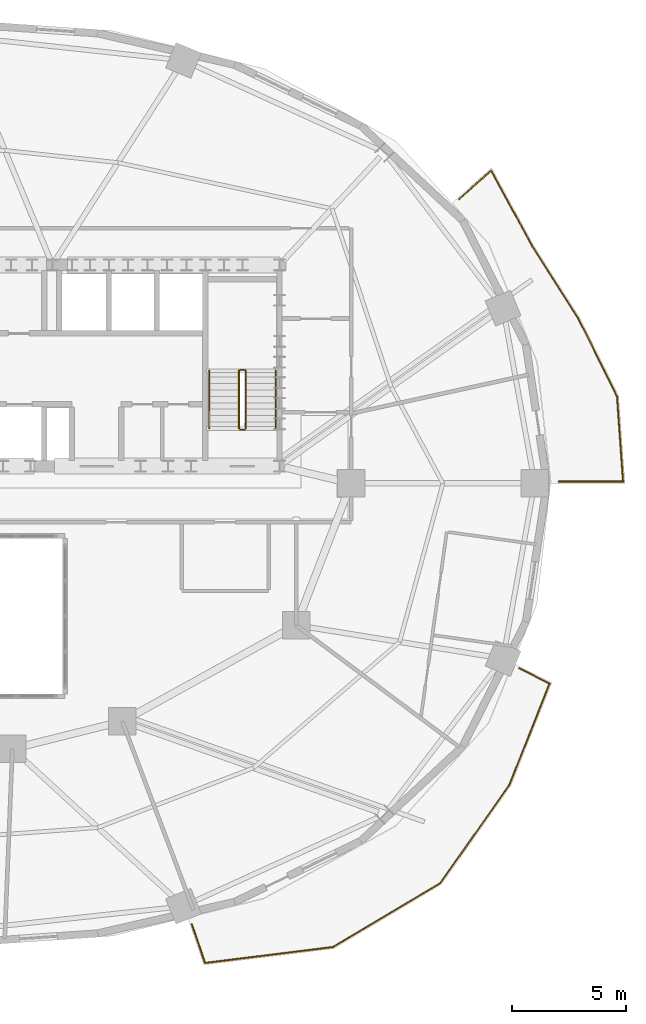
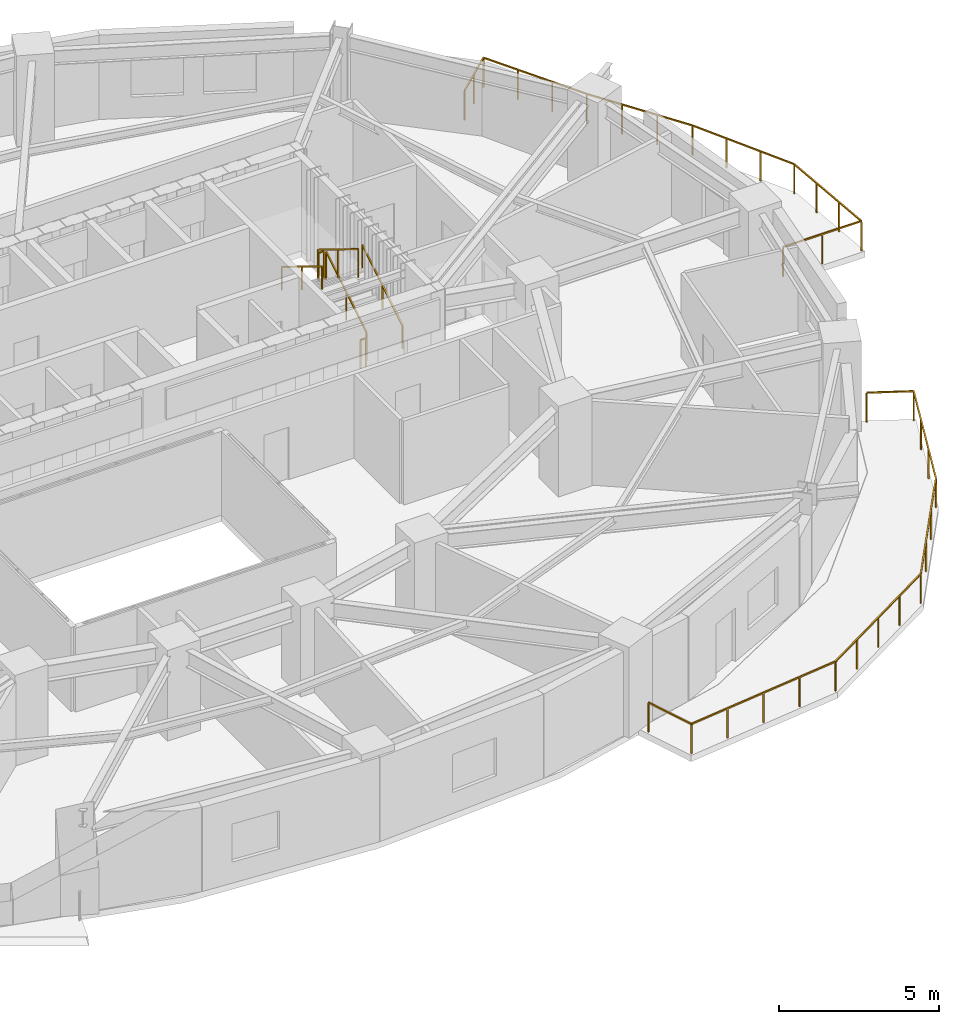
# One storey, part 12 of 12: 8 railings.
"""IFC4 building model written with IfcOpenShell, lengths in metres."""

from ifc_helpers import new_model, si_unit, direction, frame, origin, origin_2d, place, context, subcontext, project, spatial, rectangle, extrude, material, type_object, element, save


model = new_model("IFC4")

# Units and contexts
model_context = context("Model", 3, precision=1e-05, world=origin(), true_north=direction((0.0, 1.0)))
body_context = subcontext(model_context, "Body", "Model", "MODEL_VIEW")
ifc_project = project(units=[si_unit("LENGTHUNIT", "METRE"), si_unit("AREAUNIT", "SQUARE_METRE"), si_unit("VOLUMEUNIT", "CUBIC_METRE"), si_unit("PLANEANGLEUNIT", "RADIAN"), si_unit("MASSUNIT", "GRAM", prefix="KILO")], contexts=[model_context])

# Site, building, storey
site_placement = place(None, origin())
site = spatial("IfcSite", under=ifc_project, at=site_placement, CompositionType="ELEMENT")
building_placement = place(site_placement, origin())
building = spatial("IfcBuilding", under=site, at=building_placement, Name="Haldorwick Loom Tower", CompositionType="ELEMENT")
storey_placement = place(building_placement, frame((0.0, 0.0, 154.449951171875)))
storey = spatial("IfcBuildingStorey", under=building, at=storey_placement, Name="L41", CompositionType="ELEMENT", Elevation=154.449951171875)

# Railings
ifc_material_1 = material(Name="Galvanized Steel CSA G40.21 350W", Category="steel")
railing_type_1 = type_object("IfcRailingType", Name="ARC-RLG-BAL115", PredefinedType="BALUSTRADE", material=ifc_material_1)
railing_1_placement = place(storey_placement, frame((60.55419921875, 17.916748046875, 0.0)))
element("IfcRailing", 1, at=railing_1_placement, inside=storey, type_object=railing_type_1, Name="L41 Outdoor Terrace Guardrail SLB-L41-BAL_SE-1", PredefinedType="BALUSTRADE", context=body_context, shape_type="SweptSolid", body=[
    extrude(rectangle(XDim=0.048095703125, YDim=0.048095703125, at=origin_2d()), frame((0.0, 0.0, 1.1259765625), z_axis=(0.892261986487, -0.451518047778, 0.0), x_axis=(0.451518047778, 0.892261986487, 0.0)), (0.0, 0.0, 1.0), 1.472900390625),
    extrude(rectangle(XDim=0.048095703125, YDim=0.048095703125, at=origin_2d()), frame((1.314208984375, -0.6650390625, 1.1259765625), z_axis=(-0.368892536215, -0.929472052686, 0.0), x_axis=(0.929472052686, -0.368892536215, 0.0)), (0.0, 0.0, 1.0), 4.77099609375),
    extrude(rectangle(XDim=0.048095703125, YDim=0.048095703125, at=origin_2d()), frame((-0.44580078125, -5.099609375, 1.1259765625), z_axis=(-0.575818159114, -0.817577793017, 0.0), x_axis=(0.817577793017, -0.575818159114, 0.0)), (0.0, 0.0, 1.0), 5.23193359375),
    extrude(rectangle(XDim=0.048095703125, YDim=0.048095703125, at=origin_2d()), frame((-3.45849609375, -9.377197265625, 1.1259765625), z_axis=(-0.858668085407, -0.512532066415, 0.0), x_axis=(0.512532066415, -0.858668085407, 0.0)), (0.0, 0.0, 1.0), 5.4521484375),
    extrude(rectangle(XDim=0.048095703125, YDim=0.048095703125, at=origin_2d()), frame((-8.14013671875, -12.171630859375, 1.1259765625), z_axis=(-0.992333036754, -0.123592654179, 0.0), x_axis=(0.123592654179, -0.992333036754, 0.0)), (0.0, 0.0, 1.0), 5.6416015625),
    extrude(rectangle(XDim=0.048095703125, YDim=0.048095703125, at=origin_2d()), frame((-13.738525390625, -12.868896484375, 1.1259765625), z_axis=(-0.320886637071, 0.94711760946, 0.0), x_axis=(-0.94711760946, -0.320886637071, 0.0)), (0.0, 0.0, 1.0), 1.77490234375),
    extrude(rectangle(XDim=0.0419921875, YDim=0.0419921875, at=origin_2d()), origin(), (0.0, 0.0, 1.0), 1.101806640625),
    extrude(rectangle(XDim=0.0419921875, YDim=0.0419921875, at=origin_2d()), frame((1.314208984375, -0.6650390625, 0.0)), (0.0, 0.0, 1.0), 1.101806640625),
    extrude(rectangle(XDim=0.0419921875, YDim=0.0419921875, at=origin_2d()), frame((0.7275390625, -2.143310546875, 0.0)), (0.0, 0.0, 1.0), 1.101806640625),
    extrude(rectangle(XDim=0.0419921875, YDim=0.0419921875, at=origin_2d()), frame((0.140869140625, -3.621337890625, 0.0)), (0.0, 0.0, 1.0), 1.101806640625),
    extrude(rectangle(XDim=0.0419921875, YDim=0.0419921875, at=origin_2d()), frame((-0.44580078125, -5.099609375, 0.0)), (0.0, 0.0, 1.0), 1.101806640625),
    extrude(rectangle(XDim=0.0419921875, YDim=0.0419921875, at=origin_2d()), frame((-1.449951171875, -6.525390625, 0.0)), (0.0, 0.0, 1.0), 1.101806640625),
    extrude(rectangle(XDim=0.0419921875, YDim=0.0419921875, at=origin_2d()), frame((-2.454345703125, -7.951416015625, 0.0)), (0.0, 0.0, 1.0), 1.101806640625),
    extrude(rectangle(XDim=0.0419921875, YDim=0.0419921875, at=origin_2d()), frame((-3.45849609375, -9.377197265625, 0.0)), (0.0, 0.0, 1.0), 1.101806640625),
    extrude(rectangle(XDim=0.0419921875, YDim=0.0419921875, at=origin_2d()), frame((-4.62890625, -10.07568359375, 0.0)), (0.0, 0.0, 1.0), 1.101806640625),
    extrude(rectangle(XDim=0.0419921875, YDim=0.0419921875, at=origin_2d()), frame((-5.79931640625, -10.7744140625, 0.0)), (0.0, 0.0, 1.0), 1.101806640625),
    extrude(rectangle(XDim=0.0419921875, YDim=0.0419921875, at=origin_2d()), frame((-6.9697265625, -11.47314453125, 0.0)), (0.0, 0.0, 1.0), 1.101806640625),
    extrude(rectangle(XDim=0.0419921875, YDim=0.0419921875, at=origin_2d()), frame((-8.14013671875, -12.171630859375, 0.0)), (0.0, 0.0, 1.0), 1.101806640625),
    extrude(rectangle(XDim=0.0419921875, YDim=0.0419921875, at=origin_2d()), frame((-9.539794921875, -12.345947265625, 0.0)), (0.0, 0.0, 1.0), 1.101806640625),
    extrude(rectangle(XDim=0.0419921875, YDim=0.0419921875, at=origin_2d()), frame((-10.939453125, -12.520263671875, 0.0)), (0.0, 0.0, 1.0), 1.101806640625),
    extrude(rectangle(XDim=0.0419921875, YDim=0.0419921875, at=origin_2d()), frame((-12.3388671875, -12.694580078125, 0.0)), (0.0, 0.0, 1.0), 1.101806640625),
    extrude(rectangle(XDim=0.0419921875, YDim=0.0419921875, at=origin_2d()), frame((-13.738525390625, -12.868896484375, 0.0)), (0.0, 0.0, 1.0), 1.101806640625),
    extrude(rectangle(XDim=0.0419921875, YDim=0.0419921875, at=origin_2d()), frame((-14.30810546875, -11.187744140625, 0.0)), (0.0, 0.0, 1.0), 1.101806640625),
])
railing_2_placement = place(storey_placement, frame((57.91357421875, 38.416259765625, 0.0)))
element("IfcRailing", 2, at=railing_2_placement, inside=storey, type_object=railing_type_1, Name="L41 Outdoor Terrace Guardrail SLB-L41-BAL_ENE-1", PredefinedType="BALUSTRADE", context=body_context, shape_type="SweptSolid", body=[
    extrude(rectangle(XDim=0.048095703125, YDim=0.048095703125, at=origin_2d()), frame((0.0, 0.0, 1.1259765625), z_axis=(0.745995297982, 0.665951210967, 0.0), x_axis=(-0.665951210967, 0.745995297982, 0.0)), (0.0, 0.0, 1.0), 1.87890625),
    extrude(rectangle(XDim=0.048095703125, YDim=0.048095703125, at=origin_2d()), frame((1.401611328125, 1.251220703125, 1.1259765625), z_axis=(0.477375598096, -0.878699344681, 0.0), x_axis=(0.878699344681, 0.477375598096, 0.0)), (0.0, 0.0, 1.0), 3.7783203125),
    extrude(rectangle(XDim=0.048095703125, YDim=0.048095703125, at=origin_2d()), frame((3.205322265625, -2.06884765625, 1.1259765625), z_axis=(0.501036270542, -0.865426285481, 0.0), x_axis=(0.865426285481, 0.501036270542, 0.0)), (0.0, 0.0, 1.0), 0.00537109375),
    extrude(rectangle(XDim=0.048095703125, YDim=0.048095703125, at=origin_2d()), frame((3.2080078125, -2.073486328125, 1.1259765625), z_axis=(0.537781060041, -0.843084533995, 0.0), x_axis=(0.843084533995, 0.537781060041, 0.0)), (0.0, 0.0, 1.0), 3.71435546875),
    extrude(rectangle(XDim=0.048095703125, YDim=0.048095703125, at=origin_2d()), frame((5.20556640625, -5.205078125, 1.1259765625), z_axis=(0.445570186233, -0.895247010127, 0.0), x_axis=(0.895247010127, 0.445570186233, 0.0)), (0.0, 0.0, 1.0), 3.804931640625),
    extrude(rectangle(XDim=0.048095703125, YDim=0.048095703125, at=origin_2d()), frame((6.90087890625, -8.611328125, 1.1259765625), z_axis=(0.071391076537, -0.997448401769, 0.0), x_axis=(0.997448401769, 0.071391076537, 0.0)), (0.0, 0.0, 1.0), 3.734375),
    extrude(rectangle(XDim=0.048095703125, YDim=0.048095703125, at=origin_2d()), frame((7.16748046875, -12.336181640625, 1.1259765625), z_axis=(-1.0, 0.0, 0.0), x_axis=(0.0, -1.0, 0.0)), (0.0, 0.0, 1.0), 2.82080078125),
    extrude(rectangle(XDim=0.0419921875, YDim=0.0419921875, at=origin_2d()), origin(), (0.0, 0.0, 1.0), 1.101806640625),
    extrude(rectangle(XDim=0.0419921875, YDim=0.0419921875, at=origin_2d()), frame((0.70068359375, 0.62548828125, 0.0)), (0.0, 0.0, 1.0), 1.101806640625),
    extrude(rectangle(XDim=0.0419921875, YDim=0.0419921875, at=origin_2d()), frame((1.401611328125, 1.251220703125, 0.0)), (0.0, 0.0, 1.0), 1.101806640625),
    extrude(rectangle(XDim=0.0419921875, YDim=0.0419921875, at=origin_2d()), frame((2.0029296875, 0.14453125, 0.0)), (0.0, 0.0, 1.0), 1.101806640625),
    extrude(rectangle(XDim=0.0419921875, YDim=0.0419921875, at=origin_2d()), frame((2.60400390625, -0.962158203125, 0.0)), (0.0, 0.0, 1.0), 1.101806640625),
    extrude(rectangle(XDim=0.0419921875, YDim=0.0419921875, at=origin_2d()), frame((3.205322265625, -2.06884765625, 0.0)), (0.0, 0.0, 1.0), 1.101806640625),
    extrude(rectangle(XDim=0.0419921875, YDim=0.0419921875, at=origin_2d()), frame((3.873779296875, -3.117431640625, 0.0)), (0.0, 0.0, 1.0), 1.101806640625),
    extrude(rectangle(XDim=0.0419921875, YDim=0.0419921875, at=origin_2d()), frame((4.539794921875, -4.1611328125, 0.0)), (0.0, 0.0, 1.0), 1.101806640625),
    extrude(rectangle(XDim=0.0419921875, YDim=0.0419921875, at=origin_2d()), frame((5.20556640625, -5.205078125, 0.0)), (0.0, 0.0, 1.0), 1.101806640625),
    extrude(rectangle(XDim=0.0419921875, YDim=0.0419921875, at=origin_2d()), frame((5.770751953125, -6.340576171875, 0.0)), (0.0, 0.0, 1.0), 1.101806640625),
    extrude(rectangle(XDim=0.0419921875, YDim=0.0419921875, at=origin_2d()), frame((6.335693359375, -7.475830078125, 0.0)), (0.0, 0.0, 1.0), 1.101806640625),
    extrude(rectangle(XDim=0.0419921875, YDim=0.0419921875, at=origin_2d()), frame((6.90087890625, -8.611328125, 0.0)), (0.0, 0.0, 1.0), 1.101806640625),
    extrude(rectangle(XDim=0.0419921875, YDim=0.0419921875, at=origin_2d()), frame((6.98974609375, -9.85302734375, 0.0)), (0.0, 0.0, 1.0), 1.101806640625),
    extrude(rectangle(XDim=0.0419921875, YDim=0.0419921875, at=origin_2d()), frame((7.07861328125, -11.094482421875, 0.0)), (0.0, 0.0, 1.0), 1.101806640625),
    extrude(rectangle(XDim=0.0419921875, YDim=0.0419921875, at=origin_2d()), frame((7.16748046875, -12.336181640625, 0.0)), (0.0, 0.0, 1.0), 1.101806640625),
    extrude(rectangle(XDim=0.0419921875, YDim=0.0419921875, at=origin_2d()), frame((5.757080078125, -12.336181640625, 0.0)), (0.0, 0.0, 1.0), 1.101806640625),
    extrude(rectangle(XDim=0.0419921875, YDim=0.0419921875, at=origin_2d()), frame((4.3466796875, -12.336181640625, 0.0)), (0.0, 0.0, 1.0), 1.101806640625),
])
ifc_material_2 = material(Name="Steel CSA G40.21 350W", Category="steel")
railing_type_2 = type_object("IfcRailingType", Name="ARC-RLG-GUARD112", PredefinedType="GUARDRAIL", material=ifc_material_2)
railing_3_placement = place(storey_placement, frame((48.60009765625, 28.39990234375, 0.172607421875)))
element("IfcRailing", 3, at=railing_3_placement, inside=storey, type_object=railing_type_2, Name="L41 ST-02 stair guard 1", PredefinedType="GUARDRAIL", context=body_context, shape_type="SweptSolid", body=[
    extrude(rectangle(XDim=0.048095703125, YDim=0.048095703125, at=origin_2d()), frame((0.0, 0.0, 1.076171875), z_axis=(0.0, 0.851400495292, 0.524516154772), x_axis=(-1.0, 0.0, 0.0)), (0.0, 0.0, 1.0), 2.9599609375),
    extrude(rectangle(XDim=0.0419921875, YDim=0.0419921875, at=origin_2d()), origin(), (0.0, 0.0, 1.0), 1.052001953125),
    extrude(rectangle(XDim=0.0419921875, YDim=0.0419921875, at=origin_2d()), frame((0.0, 1.260009765625, 0.7763671875)), (0.0, 0.0, 1.0), 1.052001953125),
    extrude(rectangle(XDim=0.0419921875, YDim=0.0419921875, at=origin_2d()), frame((0.0, 2.52001953125, 1.552490234375)), (0.0, 0.0, 1.0), 1.052001953125),
])
railing_4_placement = place(storey_placement, frame((48.550048828125, 30.969970703125, 1.72509765625)))
element("IfcRailing", 4, at=railing_4_placement, inside=storey, type_object=railing_type_2, Name="L41 ST-02 stair guard 2", PredefinedType="GUARDRAIL", context=body_context, shape_type="SweptSolid", body=[
    extrude(rectangle(XDim=0.048095703125, YDim=0.048095703125, at=origin_2d()), frame((0.0, 0.0, 1.076171875), z_axis=(-1.0, 0.0, 0.0), x_axis=(0.0, -1.0, 0.0)), (0.0, 0.0, 1.0), 0.199951171875),
    extrude(rectangle(XDim=0.0419921875, YDim=0.0419921875, at=origin_2d()), origin(), (0.0, 0.0, 1.0), 1.052001953125),
    extrude(rectangle(XDim=0.0419921875, YDim=0.0419921875, at=origin_2d()), frame((-0.199951171875, 0.0, 0.0)), (0.0, 0.0, 1.0), 1.052001953125),
])
railing_5_placement = place(storey_placement, frame((48.300048828125, 30.919921875, 1.8974609375)))
element("IfcRailing", 5, at=railing_5_placement, inside=storey, type_object=railing_type_2, Name="L41 ST-02 stair guard 3", PredefinedType="GUARDRAIL", context=body_context, shape_type="SweptSolid", body=[
    extrude(rectangle(XDim=0.048095703125, YDim=0.048095703125, at=origin_2d()), frame((0.0, 0.0, 1.076171875), z_axis=(0.0, -0.851400495292, 0.524516154772), x_axis=(1.0, 0.0, 0.0)), (0.0, 0.0, 1.0), 2.9599609375),
    extrude(rectangle(XDim=0.0419921875, YDim=0.0419921875, at=origin_2d()), origin(), (0.0, 0.0, 1.0), 1.052001953125),
    extrude(rectangle(XDim=0.0419921875, YDim=0.0419921875, at=origin_2d()), frame((0.0, -1.260009765625, 0.7763671875)), (0.0, 0.0, 1.0), 1.052001953125),
    extrude(rectangle(XDim=0.0419921875, YDim=0.0419921875, at=origin_2d()), frame((0.0, -2.52001953125, 1.552490234375)), (0.0, 0.0, 1.0), 1.052001953125),
])
railing_6_placement = place(storey_placement, frame((48.550048828125, 28.35009765625, 0.0)))
element("IfcRailing", 6, at=railing_6_placement, inside=storey, type_object=railing_type_2, Name="L41 ST-02 stair guard 4", PredefinedType="GUARDRAIL", context=body_context, shape_type="SweptSolid", body=[
    extrude(rectangle(XDim=0.048095703125, YDim=0.048095703125, at=origin_2d()), frame((0.0, 0.0, 1.076171875), z_axis=(-1.0, 0.0, 0.0), x_axis=(0.0, -1.0, 0.0)), (0.0, 0.0, 1.0), 0.199951171875),
    extrude(rectangle(XDim=0.0419921875, YDim=0.0419921875, at=origin_2d()), origin(), (0.0, 0.0, 1.0), 1.052001953125),
    extrude(rectangle(XDim=0.0419921875, YDim=0.0419921875, at=origin_2d()), frame((-0.199951171875, 0.0, 0.0)), (0.0, 0.0, 1.0), 1.052001953125),
])
railing_type_3 = type_object("IfcRailingType", Name="ARC-RLG-HAND092", PredefinedType="HANDRAIL", material=ifc_material_2)
railing_7_placement = place(storey_placement, frame((49.89990234375, 28.39990234375, 0.172607421875)))
element("IfcRailing", 7, at=railing_7_placement, inside=storey, type_object=railing_type_3, Name="L41 ST-02 stair handrail 1", PredefinedType="HANDRAIL", context=body_context, shape_type="SweptSolid", body=[
    extrude(rectangle(XDim=0.048095703125, YDim=0.048095703125, at=origin_2d()), frame((0.0, 0.0, 0.8759765625), z_axis=(0.0, 0.851400495292, 0.524516154772), x_axis=(-1.0, 0.0, 0.0)), (0.0, 0.0, 1.0), 2.9599609375),
    extrude(rectangle(XDim=0.0419921875, YDim=0.0419921875, at=origin_2d()), origin(), (0.0, 0.0, 1.0), 0.851806640625),
    extrude(rectangle(XDim=0.0419921875, YDim=0.0419921875, at=origin_2d()), frame((0.0, 1.260009765625, 0.7763671875)), (0.0, 0.0, 1.0), 0.851806640625),
    extrude(rectangle(XDim=0.0419921875, YDim=0.0419921875, at=origin_2d()), frame((0.0, 2.52001953125, 1.552490234375)), (0.0, 0.0, 1.0), 0.851806640625),
])
railing_8_placement = place(storey_placement, frame((47.0, 30.919921875, 1.8974609375)))
element("IfcRailing", 8, at=railing_8_placement, inside=storey, type_object=railing_type_3, Name="L41 ST-02 stair handrail 2", PredefinedType="HANDRAIL", context=body_context, shape_type="SweptSolid", body=[
    extrude(rectangle(XDim=0.048095703125, YDim=0.048095703125, at=origin_2d()), frame((0.0, 0.0, 0.8759765625), z_axis=(0.0, -0.851400495292, 0.524516154772), x_axis=(1.0, 0.0, 0.0)), (0.0, 0.0, 1.0), 2.9599609375),
    extrude(rectangle(XDim=0.0419921875, YDim=0.0419921875, at=origin_2d()), origin(), (0.0, 0.0, 1.0), 0.851806640625),
    extrude(rectangle(XDim=0.0419921875, YDim=0.0419921875, at=origin_2d()), frame((0.0, -1.260009765625, 0.7763671875)), (0.0, 0.0, 1.0), 0.851806640625),
    extrude(rectangle(XDim=0.0419921875, YDim=0.0419921875, at=origin_2d()), frame((0.0, -2.52001953125, 1.552490234375)), (0.0, 0.0, 1.0), 0.851806640625),
])

save(model, "model.ifc")
